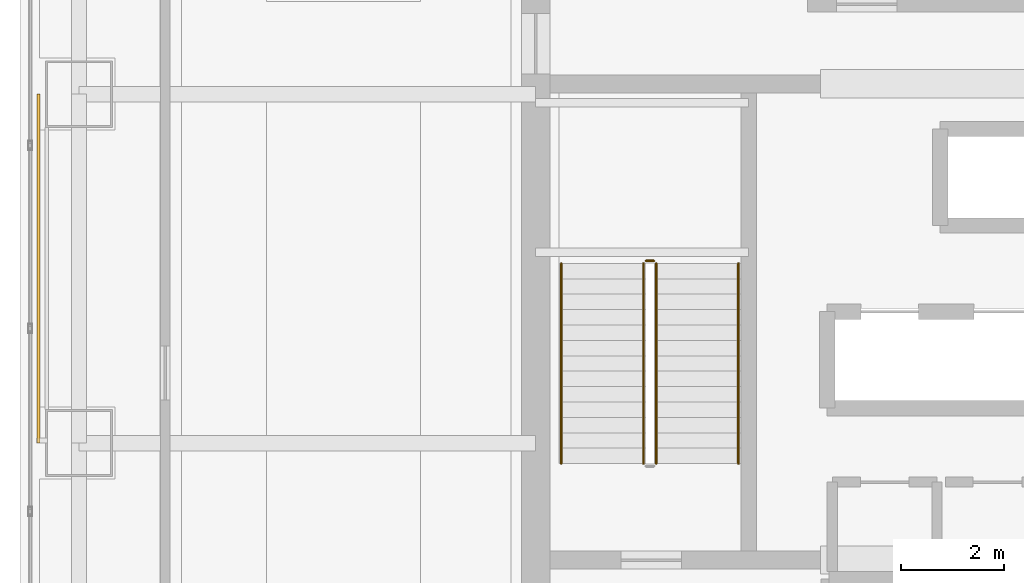
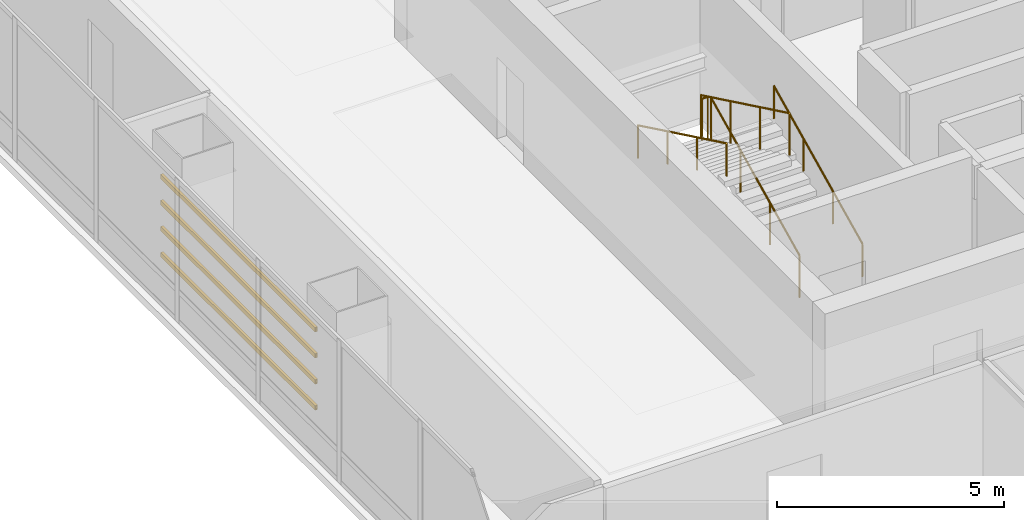
# One storey, part 39 of 42: 5 railings, 4 shading devices.
"""IFC4 building model written with IfcOpenShell, lengths in metres."""

from ifc_helpers import new_model, si_unit, direction, frame, origin, origin_2d, place, context, subcontext, project, spatial, hollow_rectangle, circle, extrude, material, material_profile, profile_set, type_object, element, save


model = new_model("IFC4")

# Units and contexts
model_context = context("Model", 3, precision=1e-05, world=origin(), true_north=direction((0.0, 1.0)))
body_context = subcontext(model_context, "Body", "Model", "MODEL_VIEW")
ifc_project = project(units=[si_unit("LENGTHUNIT", "METRE"), si_unit("AREAUNIT", "SQUARE_METRE"), si_unit("VOLUMEUNIT", "CUBIC_METRE"), si_unit("PLANEANGLEUNIT", "RADIAN"), si_unit("MASSUNIT", "GRAM", prefix="KILO")], contexts=[model_context])

# Site, building, storey
site_placement = place(None, origin())
site = spatial("IfcSite", under=ifc_project, at=site_placement, CompositionType="ELEMENT")
building_placement = place(site_placement, origin())
building = spatial("IfcBuilding", under=site, at=building_placement, Name="Punatoya Terracotta Tower", CompositionType="ELEMENT")
storey_placement = place(building_placement, frame((0.0, 0.0, 259.5)))
storey = spatial("IfcBuildingStorey", under=building, at=storey_placement, Name="L61", CompositionType="ELEMENT", Elevation=259.5)

# Railings
ifc_material_1 = material(Name="Steel S355", Category="steel")
railing_type_1 = type_object("IfcRailingType", Name="RLG-GRD-1150", PredefinedType="GUARDRAIL", material=ifc_material_1)
railing_1_placement = place(storey_placement, frame((-7.85009765625, -3.800048828125, 0.14453125)))
element("IfcRailing", 1, at=railing_1_placement, inside=storey, type_object=railing_type_1, Name="L61 ST-1 stair guard 1", PredefinedType="GUARDRAIL", context=body_context, shape_type="SweptSolid", body=[
    extrude(circle(Radius=0.02392578125, at=origin_2d()), frame((0.0, 0.0, 1.1259765625), z_axis=(0.0, 0.900773802044, 0.434288564841), x_axis=(-1.0, 0.0, 0.0)), (0.0, 0.0, 1.0), 4.329833984375),
    extrude(circle(Radius=0.02099609375, at=origin_2d()), origin(), (0.0, 0.0, 1.0), 1.101806640625),
    extrude(circle(Radius=0.02099609375, at=origin_2d()), frame((0.0, 1.300048828125, 0.626708984375)), (0.0, 0.0, 1.0), 1.101806640625),
    extrude(circle(Radius=0.02099609375, at=origin_2d()), frame((0.0, 2.60009765625, 1.253662109375)), (0.0, 0.0, 1.0), 1.101806640625),
    extrude(circle(Radius=0.02099609375, at=origin_2d()), frame((0.0, 3.900146484375, 1.88037109375)), (0.0, 0.0, 1.0), 1.101806640625),
])
railing_2_placement = place(storey_placement, frame((-7.89990234375, 0.14990234375, 2.02490234375)))
element("IfcRailing", 2, at=railing_2_placement, inside=storey, type_object=railing_type_1, Name="L61 ST-1 stair guard 2", PredefinedType="GUARDRAIL", context=body_context, shape_type="SweptSolid", body=[
    extrude(circle(Radius=0.02392578125, at=origin_2d()), frame((0.0, 0.0, 1.1259765625), z_axis=(-1.0, 0.0, 0.0), x_axis=(0.0, -1.0, 0.0)), (0.0, 0.0, 1.0), 0.150146484375),
    extrude(circle(Radius=0.02099609375, at=origin_2d()), origin(), (0.0, 0.0, 1.0), 1.101806640625),
    extrude(circle(Radius=0.02099609375, at=origin_2d()), frame((-0.150146484375, 0.0, 0.0)), (0.0, 0.0, 1.0), 1.101806640625),
])
railing_3_placement = place(storey_placement, frame((-8.10009765625, 0.10009765625, 2.169677734375)))
element("IfcRailing", 3, at=railing_3_placement, inside=storey, type_object=railing_type_1, Name="L61 ST-1 stair guard 3", PredefinedType="GUARDRAIL", context=body_context, shape_type="SweptSolid", body=[
    extrude(circle(Radius=0.02392578125, at=origin_2d()), frame((0.0, 0.0, 1.1259765625), z_axis=(0.0, -0.900773802044, 0.434288564841), x_axis=(1.0, 0.0, 0.0)), (0.0, 0.0, 1.0), 4.329833984375),
    extrude(circle(Radius=0.02099609375, at=origin_2d()), origin(), (0.0, 0.0, 1.0), 1.101806640625),
    extrude(circle(Radius=0.02099609375, at=origin_2d()), frame((0.0, -1.300048828125, 0.626708984375)), (0.0, 0.0, 1.0), 1.101806640625),
    extrude(circle(Radius=0.02099609375, at=origin_2d()), frame((0.0, -2.60009765625, 1.253662109375)), (0.0, 0.0, 1.0), 1.101806640625),
    extrude(circle(Radius=0.02099609375, at=origin_2d()), frame((0.0, -3.900146484375, 1.88037109375)), (0.0, 0.0, 1.0), 1.101806640625),
])
railing_type_2 = type_object("IfcRailingType", Name="RLG-HND-900", PredefinedType="HANDRAIL", material=ifc_material_1)
railing_4_placement = place(storey_placement, frame((-6.25, -3.800048828125, 0.14453125)))
element("IfcRailing", 4, at=railing_4_placement, inside=storey, type_object=railing_type_2, Name="L61 ST-1 stair handrail 1", PredefinedType="HANDRAIL", context=body_context, shape_type="SweptSolid", body=[
    extrude(circle(Radius=0.02392578125, at=origin_2d()), frame((0.0, 0.0, 0.8759765625), z_axis=(0.0, 0.900773802044, 0.434288564841), x_axis=(-1.0, 0.0, 0.0)), (0.0, 0.0, 1.0), 4.329833984375),
    extrude(circle(Radius=0.02099609375, at=origin_2d()), origin(), (0.0, 0.0, 1.0), 0.851806640625),
    extrude(circle(Radius=0.02099609375, at=origin_2d()), frame((0.0, 1.300048828125, 0.626708984375)), (0.0, 0.0, 1.0), 0.851806640625),
    extrude(circle(Radius=0.02099609375, at=origin_2d()), frame((0.0, 2.60009765625, 1.253662109375)), (0.0, 0.0, 1.0), 0.851806640625),
    extrude(circle(Radius=0.02099609375, at=origin_2d()), frame((0.0, 3.900146484375, 1.88037109375)), (0.0, 0.0, 1.0), 0.851806640625),
])
railing_5_placement = place(storey_placement, frame((-9.699951171875, 0.10009765625, 2.169677734375)))
element("IfcRailing", 5, at=railing_5_placement, inside=storey, type_object=railing_type_2, Name="L61 ST-1 stair handrail 2", PredefinedType="HANDRAIL", context=body_context, shape_type="SweptSolid", body=[
    extrude(circle(Radius=0.02392578125, at=origin_2d()), frame((0.0, 0.0, 0.8759765625), z_axis=(0.0, -0.900773802044, 0.434288564841), x_axis=(1.0, 0.0, 0.0)), (0.0, 0.0, 1.0), 4.329833984375),
    extrude(circle(Radius=0.02099609375, at=origin_2d()), origin(), (0.0, 0.0, 1.0), 0.851806640625),
    extrude(circle(Radius=0.02099609375, at=origin_2d()), frame((0.0, -1.300048828125, 0.626708984375)), (0.0, 0.0, 1.0), 0.851806640625),
    extrude(circle(Radius=0.02099609375, at=origin_2d()), frame((0.0, -2.60009765625, 1.253662109375)), (0.0, 0.0, 1.0), 0.851806640625),
    extrude(circle(Radius=0.02099609375, at=origin_2d()), frame((0.0, -3.900146484375, 1.88037109375)), (0.0, 0.0, 1.0), 0.851806640625),
])

# Shading devices
ifc_material_2 = material(Name="Architectural Fired Terracotta", Category="masonry")
ifc_material_profile = material_profile(ifc_material_2, hollow_rectangle(XDim=0.06494140625, YDim=0.1201171875, WallThickness=0.014892578125, at=origin_2d()))
ifc_profile_set = profile_set([ifc_material_profile], Name="Architectural Fired Terracotta")
shading_device_type = type_object("IfcShadingDeviceType", Name="SHD-BAG-120", PredefinedType="USERDEFINED", material=ifc_profile_set)
for number, where, z_axis, x_axis, name in (
    (6, (-19.889892578125, -3.39990234375, 1.14990234375), (0.0, 1.0, 0.0), (-1.0, 0.0, 0.0), "L61 Fired Terracotta Baguette Louvre BAG-L61-W-01"),
    (7, (-19.889892578125, -3.39990234375, 1.85009765625), (0.0, 1.0, 0.0), (-1.0, 0.0, 0.0), "L61 Fired Terracotta Baguette Louvre BAG-L61-W-02"),
    (8, (-19.889892578125, -3.39990234375, 2.550048828125), (0.0, 1.0, 0.0), (-1.0, 0.0, 0.0), "L61 Fired Terracotta Baguette Louvre BAG-L61-W-03"),
    (9, (-19.889892578125, -3.39990234375, 3.25), (0.0, 1.0, 0.0), (-1.0, 0.0, 0.0), "L61 Fired Terracotta Baguette Louvre BAG-L61-W-04"),
):
    element("IfcShadingDevice", number, at=place(storey_placement, frame(where, z_axis=z_axis, x_axis=x_axis)), inside=storey, type_object=shading_device_type, Name=name, ObjectType="BAGUETTE", PredefinedType="USERDEFINED", context=body_context, shape_type="SweptSolid", body=[
        extrude(hollow_rectangle(XDim=0.06494140625, YDim=0.1201171875, WallThickness=0.014892578125, at=origin_2d()), origin(), (0.0, 0.0, 1.0), 6.7998046875),
    ])

save(model, "model.ifc")
